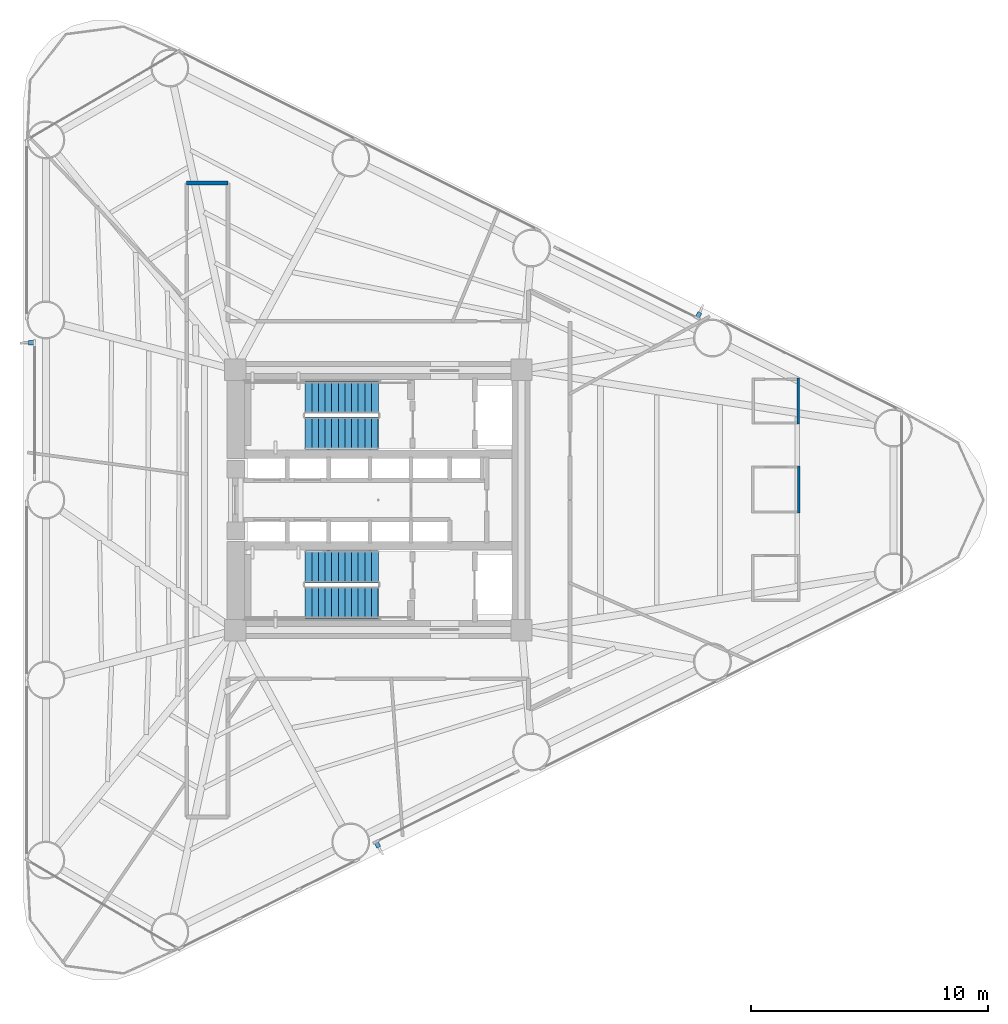
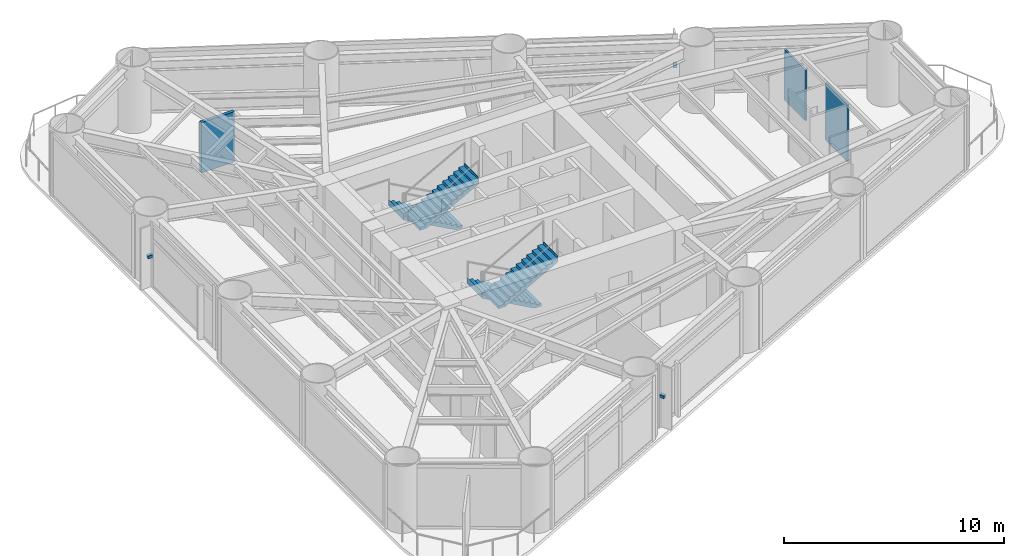
# One storey, part 7 of 10: 4 stair flights, 3 discrete accessories, 3 walls, 2 elements without a shape of their own.
"""IFC4 building model written with IfcOpenShell, lengths in metres."""

from ifc_helpers import new_model, si_unit, direction, frame, frame_2d, origin, origin_2d, place, context, subcontext, project, spatial, polyline, rectangle, outline, extrude, source, transform, mapped, material, layer, layer_set, type_object, element, aggregate, save


model = new_model("IFC4")

# Units and contexts
model_context = context("Model", 3, precision=1e-05, world=origin(), true_north=direction((0.0, 1.0)))
body_context = subcontext(model_context, "Body", "Model", "MODEL_VIEW")
ifc_project = project(units=[si_unit("LENGTHUNIT", "METRE"), si_unit("AREAUNIT", "SQUARE_METRE"), si_unit("VOLUMEUNIT", "CUBIC_METRE"), si_unit("PLANEANGLEUNIT", "RADIAN"), si_unit("MASSUNIT", "GRAM", prefix="KILO")], contexts=[model_context])

# Site, building, storey
site_placement = place(None, origin())
site = spatial("IfcSite", under=ifc_project, at=site_placement, CompositionType="ELEMENT")
building_placement = place(site_placement, origin())
building = spatial("IfcBuilding", under=site, at=building_placement, Name="Yunling Apex Tower", CompositionType="ELEMENT")
storey_placement = place(building_placement, frame((0.0, 0.0, 34.89990234375)))
storey = spatial("IfcBuildingStorey", under=building, at=storey_placement, Name="L10", CompositionType="ELEMENT", Elevation=34.89990234375)

# Walls
ifc_material_1 = material(Name="Gypsum board acoustic partition")
ifc_layer_1 = layer(ifc_material_1, 0.159912109375)
ifc_layer_set_1 = layer_set([ifc_layer_1], Name="Gypsum board acoustic partition")
wall_type_1 = type_object("IfcWallType", Name="WL-PRT-1", PredefinedType="PARTITIONING", material=ifc_layer_set_1)
wall_1_placement = place(storey_placement, frame((-8.10009765625, 13.39990234375, 0.0), z_axis=(0.0, 0.0, 1.0), x_axis=(1.0, 0.0, 0.0)))
element("IfcWall", 1, at=wall_1_placement, inside=storey, type_object=wall_type_1, Name="WL-CORR-L10-07", PredefinedType="PARTITIONING", context=body_context, shape_type="SweptSolid", body=[
    extrude(rectangle(XDim=1.75, YDim=0.159912109375, at=frame_2d((0.875, 0.0))), origin(), (0.0, 0.0, 1.0), 2.800048828125),
])
ifc_layer_2 = layer(ifc_material_1, 0.10009765625)
ifc_layer_set_2 = layer_set([ifc_layer_2], Name="Gypsum board acoustic partition")
wall_type_2 = type_object("IfcWallType", Name="WL-PRT-4", PredefinedType="PARTITIONING", material=ifc_layer_set_2)
wall_2_placement = place(storey_placement, frame((17.77001953125, 1.443115234375, 0.0), z_axis=(0.0, 0.0, 1.0), x_axis=(0.0, -1.0, 0.0)))
element("IfcWall", 2, at=wall_2_placement, inside=storey, type_object=wall_type_2, Name="WL-L10-WCME", PredefinedType="PARTITIONING", context=body_context, shape_type="SweptSolid", body=[
    extrude(rectangle(XDim=2.0, YDim=0.10009765625, at=frame_2d((1.0, 0.0))), origin(), (0.0, 0.0, 1.0), 3.150146484375),
])
wall_3_placement = place(storey_placement, frame((17.7451171875, 5.156005859375, 0.0), z_axis=(0.0, 0.0, 1.0), x_axis=(0.0, -1.0, 0.0)))
element("IfcWall", 3, at=wall_3_placement, inside=storey, type_object=wall_type_2, Name="WL-L10-WCAE", PredefinedType="PARTITIONING", context=body_context, shape_type="SweptSolid", body=[
    extrude(rectangle(XDim=1.949951171875, YDim=0.10009765625, at=frame_2d((0.97509765625, 0.0))), origin(), (0.0, 0.0, 1.0), 2.800048828125),
])

# Stair, stair flights
ifc_material_2 = material(Name="Concrete C40", Category="concrete")
stair_type = type_object("IfcStairType", Name="ST-TWR-1", PredefinedType="HALF_TURN_STAIR", material=ifc_material_2)
stair_1_placement = place(storey_placement, origin())
stair_1 = element("IfcStair", 4, at=stair_1_placement, inside=storey, type_object=stair_type, Name="L10 North Core Smokeproof Exit Stair ST-1", PredefinedType="HALF_TURN_STAIR")
stair_flight_type = type_object("IfcStairFlightType", Name="SFL-TWR-1", PredefinedType="STRAIGHT", material=ifc_material_2)
stair_flight_1_placement = place(storey_placement, frame((-0.010009765625, 4.330078125, 0.0), z_axis=(0.0, 0.0, 1.0), x_axis=(-1.0, 0.0, 0.0)))
stair_flight_1 = element("IfcStairFlight", 5, at=stair_flight_1_placement, type_object=stair_flight_type, Name="ST-1 flight 1", NumberOfRisers=12, NumberOfTreads=11, PredefinedType="STRAIGHT", RiserHeight=0.154166667, TreadLength=0.28, context=body_context, shape_type="SweptSolid", body=[
    extrude(outline(polyline([(-0.011962890625, 0.0), (-0.011962890625, 0.154052734375), (0.0, 0.154052734375), (0.280029296875, 0.154052734375), (0.280029296875, 0.308349609375), (0.56005859375, 0.308349609375), (0.56005859375, 0.46240234375), (0.840087890625, 0.46240234375), (0.840087890625, 0.61669921875), (1.1201171875, 0.61669921875), (1.1201171875, 0.770751953125), (1.39990234375, 0.770751953125), (1.39990234375, 0.925048828125), (1.679931640625, 0.925048828125), (1.679931640625, 1.0791015625), (1.9599609375, 1.0791015625), (1.9599609375, 1.2333984375), (2.239990234375, 1.2333984375), (2.239990234375, 1.387451171875), (2.52001953125, 1.387451171875), (2.52001953125, 1.541748046875), (2.800048828125, 1.541748046875), (2.800048828125, 1.69580078125), (3.080078125, 1.69580078125), (3.080078125, 1.85009765625), (3.092041015625, 1.85009765625), (3.092041015625, 1.51318359375), (0.33154296875, 0.0), (-0.011962890625, 0.0)])), frame((0.0, 0.68017578125, 0.0), z_axis=(0.0, -1.0, 0.0), x_axis=(1.0, 0.0, 0.0)), (0.0, 0.0, 1.0), 1.360107421875),
])
stair_flight_2_placement = place(storey_placement, frame((-3.090087890625, 2.820068359375, 1.85009765625), z_axis=(0.0, 0.0, 1.0), x_axis=(1.0, 0.0, 0.0)))
stair_flight_2 = element("IfcStairFlight", 6, at=stair_flight_2_placement, type_object=stair_flight_type, Name="ST-1 flight 2", NumberOfRisers=12, NumberOfTreads=11, PredefinedType="STRAIGHT", RiserHeight=0.154166667, TreadLength=0.28, context=body_context, shape_type="SweptSolid", body=[
    extrude(outline(polyline([(-0.011962890625, 0.0), (-0.011962890625, 0.154052734375), (0.0, 0.154052734375), (0.280029296875, 0.154052734375), (0.280029296875, 0.308349609375), (0.56005859375, 0.308349609375), (0.56005859375, 0.46240234375), (0.840087890625, 0.46240234375), (0.840087890625, 0.61669921875), (1.1201171875, 0.61669921875), (1.1201171875, 0.770751953125), (1.39990234375, 0.770751953125), (1.39990234375, 0.925048828125), (1.679931640625, 0.925048828125), (1.679931640625, 1.0791015625), (1.9599609375, 1.0791015625), (1.9599609375, 1.2333984375), (2.239990234375, 1.2333984375), (2.239990234375, 1.387451171875), (2.52001953125, 1.387451171875), (2.52001953125, 1.541748046875), (2.800048828125, 1.541748046875), (2.800048828125, 1.69580078125), (3.080078125, 1.69580078125), (3.080078125, 1.85009765625), (3.092041015625, 1.85009765625), (3.092041015625, 1.51318359375), (0.33154296875, 0.0), (-0.011962890625, 0.0)])), frame((0.0, 0.68017578125, 0.0), z_axis=(0.0, -1.0, 0.0), x_axis=(1.0, 0.0, 0.0)), (0.0, 0.0, 1.0), 1.360107421875),
])
aggregate(stair_1, [stair_flight_1, stair_flight_2])

stair_2_placement = place(storey_placement, origin())
stair_2 = element("IfcStair", 7, at=stair_2_placement, inside=storey, type_object=stair_type, Name="L10 South Core Smokeproof Exit Stair ST-2", PredefinedType="HALF_TURN_STAIR")
stair_flight_3_placement = place(storey_placement, frame((-0.010009765625, -2.820068359375, 0.0), z_axis=(0.0, 0.0, 1.0), x_axis=(-1.0, 0.0, 0.0)))
stair_flight_3 = element("IfcStairFlight", 8, at=stair_flight_3_placement, type_object=stair_flight_type, Name="ST-2 flight 1", NumberOfRisers=12, NumberOfTreads=11, PredefinedType="STRAIGHT", RiserHeight=0.154166667, TreadLength=0.28, context=body_context, shape_type="SweptSolid", body=[
    extrude(outline(polyline([(-0.011962890625, 0.0), (-0.011962890625, 0.154052734375), (0.0, 0.154052734375), (0.280029296875, 0.154052734375), (0.280029296875, 0.308349609375), (0.56005859375, 0.308349609375), (0.56005859375, 0.46240234375), (0.840087890625, 0.46240234375), (0.840087890625, 0.61669921875), (1.1201171875, 0.61669921875), (1.1201171875, 0.770751953125), (1.39990234375, 0.770751953125), (1.39990234375, 0.925048828125), (1.679931640625, 0.925048828125), (1.679931640625, 1.0791015625), (1.9599609375, 1.0791015625), (1.9599609375, 1.2333984375), (2.239990234375, 1.2333984375), (2.239990234375, 1.387451171875), (2.52001953125, 1.387451171875), (2.52001953125, 1.541748046875), (2.800048828125, 1.541748046875), (2.800048828125, 1.69580078125), (3.080078125, 1.69580078125), (3.080078125, 1.85009765625), (3.092041015625, 1.85009765625), (3.092041015625, 1.51318359375), (0.33154296875, 0.0), (-0.011962890625, 0.0)])), frame((0.0, 0.68017578125, 0.0), z_axis=(0.0, -1.0, 0.0), x_axis=(1.0, 0.0, 0.0)), (0.0, 0.0, 1.0), 1.360107421875),
])
stair_flight_4_placement = place(storey_placement, frame((-3.090087890625, -4.330078125, 1.85009765625), z_axis=(0.0, 0.0, 1.0), x_axis=(1.0, 0.0, 0.0)))
stair_flight_4 = element("IfcStairFlight", 9, at=stair_flight_4_placement, type_object=stair_flight_type, Name="ST-2 flight 2", NumberOfRisers=12, NumberOfTreads=11, PredefinedType="STRAIGHT", RiserHeight=0.154166667, TreadLength=0.28, context=body_context, shape_type="SweptSolid", body=[
    extrude(outline(polyline([(-0.011962890625, 0.0), (-0.011962890625, 0.154052734375), (0.0, 0.154052734375), (0.280029296875, 0.154052734375), (0.280029296875, 0.308349609375), (0.56005859375, 0.308349609375), (0.56005859375, 0.46240234375), (0.840087890625, 0.46240234375), (0.840087890625, 0.61669921875), (1.1201171875, 0.61669921875), (1.1201171875, 0.770751953125), (1.39990234375, 0.770751953125), (1.39990234375, 0.925048828125), (1.679931640625, 0.925048828125), (1.679931640625, 1.0791015625), (1.9599609375, 1.0791015625), (1.9599609375, 1.2333984375), (2.239990234375, 1.2333984375), (2.239990234375, 1.387451171875), (2.52001953125, 1.387451171875), (2.52001953125, 1.541748046875), (2.800048828125, 1.541748046875), (2.800048828125, 1.69580078125), (3.080078125, 1.69580078125), (3.080078125, 1.85009765625), (3.092041015625, 1.85009765625), (3.092041015625, 1.51318359375), (0.33154296875, 0.0), (-0.011962890625, 0.0)])), frame((0.0, 0.68017578125, 0.0), z_axis=(0.0, -1.0, 0.0), x_axis=(1.0, 0.0, 0.0)), (0.0, 0.0, 1.0), 1.360107421875),
])
aggregate(stair_2, [stair_flight_3, stair_flight_4])

# Discrete accessories
ifc_material_3 = material(Name="Steel Q355B", Category="steel")
discrete_accessory_type = type_object("IfcDiscreteAccessoryType", Name="BK-FIN-1", PredefinedType="BRACKET", material=ifc_material_3)
shared_shape = source(origin(), body_context, "Body", "SweptSolid", [
    extrude(rectangle(XDim=0.179931640625, YDim=0.260009765625, at=origin_2d()), origin(), (0.0, 0.0, 1.0), 0.159912109375),
])
for number, where, z_axis, x_axis, name in (
    (10, (-0.0380859375, -14.561279296875, 1.677734375), (0.0, 0.0, 1.0), (0.895245648325, 0.445572922377, 0.0), "CW-L10-F1-B2-BRK-01-1"),
    (11, (13.527587890625, 7.8095703125, 1.677734375), (0.0, 0.0, 1.0), (-0.895245648325, 0.445572922377, 0.0), "CW-L10-F2-B2-BRK-01-1"),
    (12, (-14.652099609375, 6.64697265625, 1.677734375), (0.0, 0.0, 1.0), (0.0, -1.0, 0.0), "CW-L10-F3-B2-BRK-01-1"),
):
    element("IfcDiscreteAccessory", number, at=place(storey_placement, frame(where, z_axis=z_axis, x_axis=x_axis)), inside=storey, type_object=discrete_accessory_type, Name=name, PredefinedType="BRACKET", context=body_context, shape_type="MappedRepresentation", body=[
        mapped(shared_shape, transform((0.0, 0.0, 0.0), scale=1.0)),
    ])

save(model, "model.ifc")
